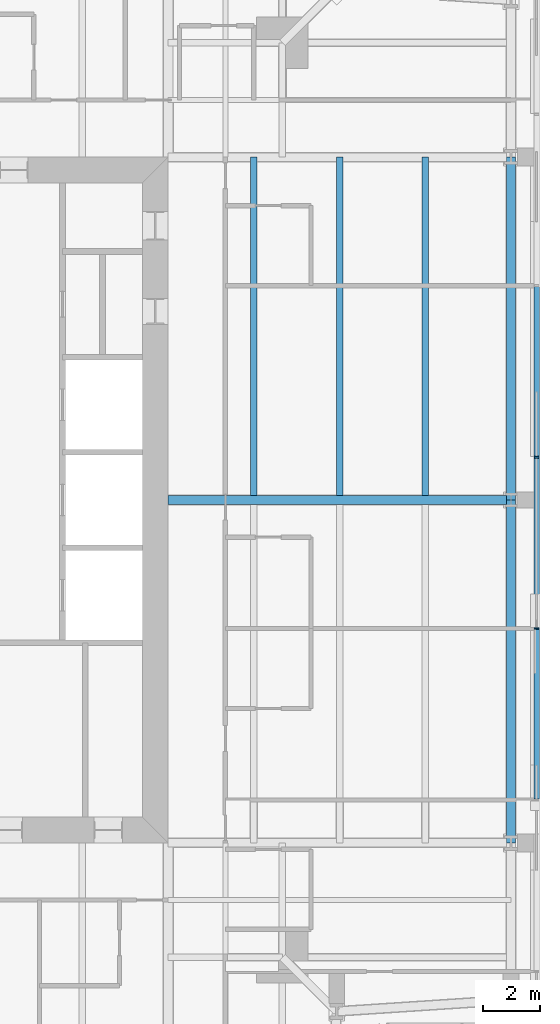
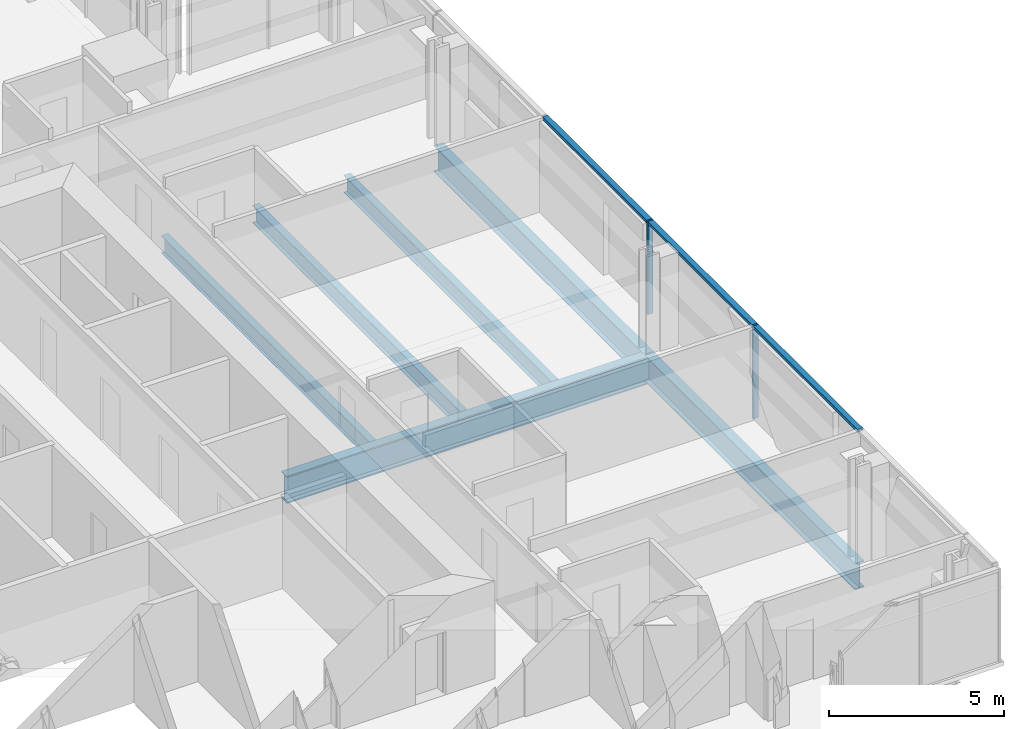
# One storey, part 6 of 19: 6 beams, 5 members, 1 element without a shape of its own.
"""IFC4 building model written with IfcOpenShell, lengths in metres."""

from ifc_helpers import new_model, si_unit, direction, frame, origin, origin_2d, place, context, subcontext, project, spatial, rectangle, i_section, extrude, material, material_profile, profile_set, type_object, element, aggregate, save


model = new_model("IFC4")

# Units and contexts
model_context = context("Model", 3, precision=1e-05, world=origin(), true_north=direction((0.0, 1.0)))
body_context = subcontext(model_context, "Body", "Model", "MODEL_VIEW")
ifc_project = project(units=[si_unit("LENGTHUNIT", "METRE"), si_unit("AREAUNIT", "SQUARE_METRE"), si_unit("VOLUMEUNIT", "CUBIC_METRE"), si_unit("PLANEANGLEUNIT", "RADIAN"), si_unit("MASSUNIT", "GRAM", prefix="KILO")], contexts=[model_context])

# Site, building, storey
site_placement = place(None, origin())
site = spatial("IfcSite", under=ifc_project, at=site_placement, CompositionType="ELEMENT")
building_placement = place(site_placement, origin())
building = spatial("IfcBuilding", under=site, at=building_placement, Name="Fenwick Lantern Interchange", CompositionType="ELEMENT")
storey_placement = place(building_placement, frame((0.0, 0.0, 273.0)))
storey = spatial("IfcBuildingStorey", under=building, at=storey_placement, Name="L65", CompositionType="ELEMENT", Elevation=273.0)

# Beams
ifc_material_1 = material(Name="Steel ASTM A992 Grade 50", Category="steel")
ifc_material_profile_1 = material_profile(ifc_material_1, i_section(OverallWidth=0.3046875, OverallDepth=0.911865234375, WebThickness=0.015869140625, FlangeThickness=0.02392578125, at=origin_2d()), Name="W36X150")
ifc_profile_set_1 = profile_set([ifc_material_profile_1], Name="Steel ASTM A992 Grade 50")
beam_type_1 = type_object("IfcBeamType", Name="EDGE BEAM W36X150", PredefinedType="SPANDREL", material=ifc_profile_set_1)
for number, where, z_axis, x_axis, name in (
    (1, (49.0, 13.0, -0.60595703125), (0.0, 1.0, 0.0), (-1.0, 0.0, 0.0), "L65/FR/E/EB2"),
    (2, (49.0, 25.0, -0.60595703125), (0.0, 1.0, 0.0), (-1.0, 0.0, 0.0), "L65/FR/E/EB3"),
):
    element("IfcBeam", number, at=place(storey_placement, frame(where, z_axis=z_axis, x_axis=x_axis)), inside=storey, type_object=beam_type_1, Name=name, PredefinedType="SPANDREL", context=body_context, shape_type="SweptSolid", body=[
        extrude(i_section(OverallWidth=0.3046875, OverallDepth=0.911865234375, WebThickness=0.015869140625, FlangeThickness=0.02392578125, at=origin_2d()), origin(), (0.0, 0.0, 1.0), 12.0),
    ])
ifc_material_profile_2 = material_profile(ifc_material_1, i_section(OverallWidth=0.22900390625, OverallDepth=0.612060546875, WebThickness=0.011962890625, FlangeThickness=0.01953125, at=origin_2d()), Name="W24X84")
ifc_profile_set_2 = profile_set([ifc_material_profile_2], Name="Steel ASTM A992 Grade 50")
beam_type_2 = type_object("IfcBeamType", Name="FLOOR BEAM W24X84", PredefinedType="BEAM", material=ifc_profile_set_2)
for number, where, z_axis, x_axis, name in (
    (3, (46.0, 25.155029296875, -0.4560546875), (0.0, 1.0, 0.0), (-1.0, 0.0, 0.0), "L65/FR/E/B04"),
    (4, (43.0, 25.155029296875, -0.4560546875), (0.0, 1.0, 0.0), (-1.0, 0.0, 0.0), "L65/FR/E/B05"),
    (5, (40.0, 25.155029296875, -0.4560546875), (0.0, 1.0, 0.0), (-1.0, 0.0, 0.0), "L65/FR/E/B06"),
):
    element("IfcBeam", number, at=place(storey_placement, frame(where, z_axis=z_axis, x_axis=x_axis)), inside=storey, type_object=beam_type_2, Name=name, PredefinedType="BEAM", context=body_context, shape_type="SweptSolid", body=[
        extrude(i_section(OverallWidth=0.22900390625, OverallDepth=0.612060546875, WebThickness=0.011962890625, FlangeThickness=0.01953125, at=origin_2d()), origin(), (0.0, 0.0, 1.0), 11.844970703125),
    ])

# Curtain wall, members
ifc_material_2 = material(Name="Aluminium curtain wall frame", Category="aluminium")
curtain_wall_type = type_object("IfcCurtainWallType", Name="HOTEL CURTAIN WALL", PredefinedType="USERDEFINED", material=ifc_material_2)
curtain_wall_placement = place(storey_placement, origin())
curtain_wall = element("IfcCurtainWall", 6, at=curtain_wall_placement, inside=storey, type_object=curtain_wall_type, Name="Hotel curtain wall 05", ObjectType="HOTEL CURTAIN WALL", PredefinedType="USERDEFINED")
ifc_material_3 = material(Name="Aluminium extrusion", Category="aluminium")
ifc_material_profile_3 = material_profile(ifc_material_3, rectangle(XDim=0.179931640625, YDim=0.06005859375, at=origin_2d()), Name="HOTEL CURTAIN WALL MULLION 60 X 180")
ifc_profile_set_3 = profile_set([ifc_material_profile_3], Name="Aluminium extrusion")
member_type_1 = type_object("IfcMemberType", Name="HOTEL CURTAIN WALL MULLION 60 X 180", PredefinedType="MULLION", material=ifc_profile_set_3)
member_1_placement = place(storey_placement, frame((49.89990234375, 20.5, 0.0), z_axis=(0.0, 0.0, 1.0), x_axis=(-1.0, 0.0, 0.0)))
member_1 = element("IfcMember", 7, at=member_1_placement, type_object=member_type_1, Name="L65/CW/05/M03", PredefinedType="MULLION", context=body_context, shape_type="SweptSolid", body=[
    extrude(rectangle(XDim=0.179931640625, YDim=0.06005859375, at=origin_2d()), origin(), (0.0, 0.0, 1.0), 3.25),
])
member_2_placement = place(storey_placement, frame((49.89990234375, 26.5, 0.0), z_axis=(0.0, 0.0, 1.0), x_axis=(-1.0, 0.0, 0.0)))
member_2 = element("IfcMember", 8, at=member_2_placement, type_object=member_type_1, Name="L65/CW/05/M04", PredefinedType="MULLION", context=body_context, shape_type="SweptSolid", body=[
    extrude(rectangle(XDim=0.179931640625, YDim=0.06005859375, at=origin_2d()), origin(), (0.0, 0.0, 1.0), 3.25),
])
ifc_material_profile_4 = material_profile(ifc_material_3, rectangle(XDim=0.179931640625, YDim=0.10009765625, at=origin_2d()), Name="HOTEL CURTAIN WALL TRANSOM 100 X 180")
ifc_profile_set_4 = profile_set([ifc_material_profile_4], Name="Aluminium extrusion")
member_type_2 = type_object("IfcMemberType", Name="HOTEL CURTAIN WALL TRANSOM 100 X 180", PredefinedType="MULLION", material=ifc_profile_set_4)
member_3_placement = place(storey_placement, frame((49.89990234375, 14.530029296875, 3.199951171875), z_axis=(0.0, 1.0, 0.0), x_axis=(-1.0, 0.0, 0.0)))
member_3 = element("IfcMember", 9, at=member_3_placement, type_object=member_type_2, Name="L65/CW/05/T02", PredefinedType="MULLION", context=body_context, shape_type="SweptSolid", body=[
    extrude(rectangle(XDim=0.179931640625, YDim=0.10009765625, at=origin_2d()), origin(), (0.0, 0.0, 1.0), 5.93994140625),
])
member_4_placement = place(storey_placement, frame((49.89990234375, 20.530029296875, 3.199951171875), z_axis=(0.0, 1.0, 0.0), x_axis=(-1.0, 0.0, 0.0)))
member_4 = element("IfcMember", 10, at=member_4_placement, type_object=member_type_2, Name="L65/CW/05/T03", PredefinedType="MULLION", context=body_context, shape_type="SweptSolid", body=[
    extrude(rectangle(XDim=0.179931640625, YDim=0.10009765625, at=origin_2d()), origin(), (0.0, 0.0, 1.0), 5.93994140625),
])
member_5_placement = place(storey_placement, frame((49.89990234375, 26.530029296875, 3.199951171875), z_axis=(0.0, 1.0, 0.0), x_axis=(-1.0, 0.0, 0.0)))
member_5 = element("IfcMember", 11, at=member_5_placement, type_object=member_type_2, Name="L65/CW/05/T04", PredefinedType="MULLION", context=body_context, shape_type="SweptSolid", body=[
    extrude(rectangle(XDim=0.179931640625, YDim=0.10009765625, at=origin_2d()), origin(), (0.0, 0.0, 1.0), 5.93994140625),
])
aggregate(curtain_wall, [member_1, member_2, member_3, member_4, member_5])

# Beam
ifc_material_profile_5 = material_profile(ifc_material_1, i_section(OverallWidth=0.309814453125, OverallDepth=0.949951171875, WebThickness=0.0244140625, FlangeThickness=0.0439453125, at=origin_2d()), Name="W36X256")
ifc_profile_set_5 = profile_set([ifc_material_profile_5], Name="Steel ASTM A992 Grade 50")
beam_type_3 = type_object("IfcBeamType", Name="MOMENT-CONNECTED GIRDER W36X256", PredefinedType="BEAM", material=ifc_profile_set_5)
beam_placement = place(storey_placement, frame((49.0, 25.0, -0.625), z_axis=(-1.0, 0.0, 0.0), x_axis=(0.0, -1.0, 0.0)))
element("IfcBeam", 12, at=beam_placement, inside=storey, type_object=beam_type_3, Name="L65/FR/E/R02", PredefinedType="BEAM", context=body_context, shape_type="SweptSolid", body=[
    extrude(i_section(OverallWidth=0.309814453125, OverallDepth=0.949951171875, WebThickness=0.0244140625, FlangeThickness=0.0439453125, at=origin_2d()), origin(), (0.0, 0.0, 1.0), 12.0),
])

save(model, "model.ifc")
